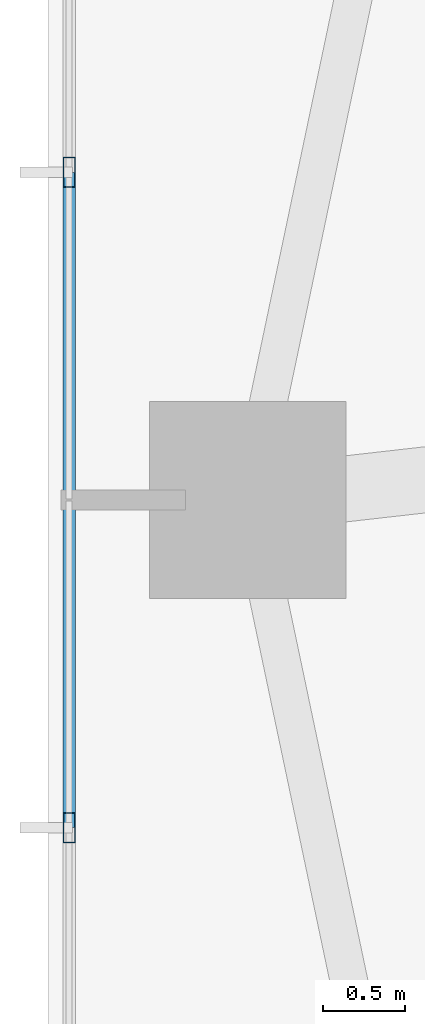
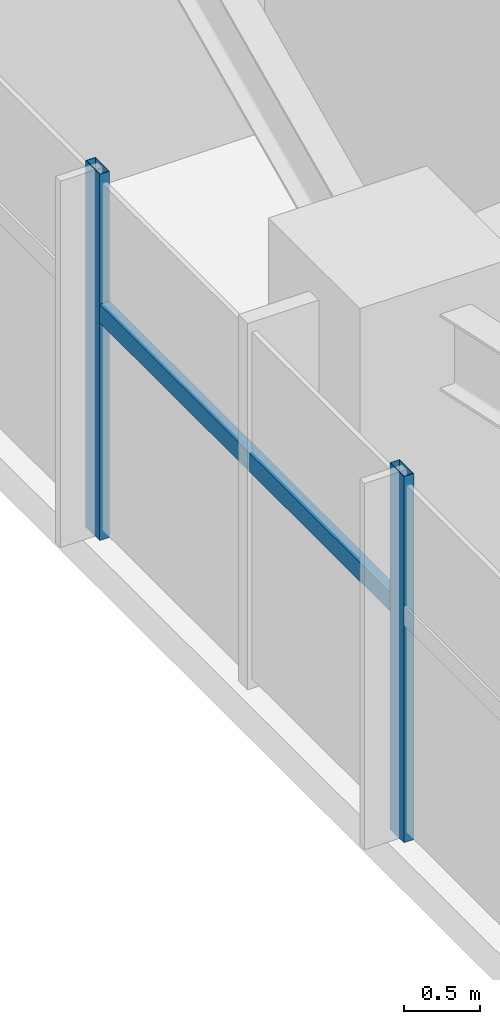
# One storey, part 4 of 25: 3 members, 1 element without a shape of its own.
"""IFC4 building model written with IfcOpenShell, lengths in metres."""

from ifc_helpers import new_model, si_unit, direction, frame, origin, origin_2d, place, context, subcontext, project, spatial, hollow_rectangle, extrude, source, transform, mapped, material, material_profile, profile_set, type_object, type_shapes, element, aggregate, save


model = new_model("IFC4")

# Units and contexts
model_context = context("Model", 3, precision=1e-05, world=origin(), true_north=direction((0.0, 1.0)))
body_context = subcontext(model_context, "Body", "Model", "MODEL_VIEW")
ifc_project = project(units=[si_unit("LENGTHUNIT", "METRE"), si_unit("AREAUNIT", "SQUARE_METRE"), si_unit("VOLUMEUNIT", "CUBIC_METRE"), si_unit("PLANEANGLEUNIT", "RADIAN"), si_unit("MASSUNIT", "GRAM", prefix="KILO")], contexts=[model_context])

# Site, building, storey
site_placement = place(None, origin())
site = spatial("IfcSite", under=ifc_project, at=site_placement, CompositionType="ELEMENT")
building_placement = place(site_placement, origin())
building = spatial("IfcBuilding", under=site, at=building_placement, Name="Astriad Promenade Condominiums", CompositionType="ELEMENT")
storey_placement = place(building_placement, frame((0.0, 0.0, 51.800048828125)))
storey = spatial("IfcBuildingStorey", under=building, at=storey_placement, Name="L14", CompositionType="ELEMENT", Elevation=51.800048828125)

# Curtain wall, members
ifc_material_1 = material(Name="Anodised aluminium Black Dark Glass Unitised", Category="aluminium")
curtain_wall_type = type_object("IfcCurtainWallType", Name="CW-B1-DARK", PredefinedType="USERDEFINED", material=ifc_material_1)
curtain_wall_placement = place(storey_placement, origin())
curtain_wall = element("IfcCurtainWall", 1, at=curtain_wall_placement, inside=storey, type_object=curtain_wall_type, Name="CW-L14-W", ObjectType="UNITISED_CURTAIN_WALL", PredefinedType="USERDEFINED")
ifc_material_2 = material(Name="Anodised aluminium 6063-T6 Black", Category="aluminium")
ifc_material_profile_1 = material_profile(ifc_material_2, hollow_rectangle(XDim=0.074951171875, YDim=0.18505859375, WallThickness=0.00439453125, at=origin_2d()), Name="ALU-MUL-75X185")
ifc_profile_set_1 = profile_set([ifc_material_profile_1], Name="Anodised aluminium 6063-T6 Black")
member_type_1 = type_object("IfcMemberType", Name="MUL-ALU-MUL-75X185", PredefinedType="MULLION", material=ifc_profile_set_1)
shared_shape_1 = source(origin(), body_context, "Body", "SweptSolid", [
    extrude(hollow_rectangle(XDim=0.074951171875, YDim=0.18505859375, WallThickness=0.00439453125, at=origin_2d()), origin(), (0.0, 0.0, 1.0), 2.93994140625),
])
type_shapes(member_type_1, [shared_shape_1])
member_1_placement = place(storey_placement, frame((5.929931640625, 13.199951171875, 0.0), z_axis=(0.0, 0.0, 1.0), x_axis=(1.0, 0.0, 0.0)))
member_1 = element("IfcMember", 2, at=member_1_placement, type_object=member_type_1, Name="CW-L14-W-MUL-02", PredefinedType="MULLION", context=body_context, shape_type="MappedRepresentation", body=[
    mapped(shared_shape_1, transform((0.0, 0.0, 0.0), scale=1.0)),
])
member_2_placement = place(storey_placement, frame((5.929931640625, 17.199951171875, 0.0), z_axis=(0.0, 0.0, 1.0), x_axis=(1.0, 0.0, 0.0)))
member_2 = element("IfcMember", 3, at=member_2_placement, type_object=member_type_1, Name="CW-L14-W-MUL-03", PredefinedType="MULLION", context=body_context, shape_type="MappedRepresentation", body=[
    mapped(shared_shape_1, transform((0.0, 0.0, 0.0), scale=1.0)),
])
ifc_material_profile_2 = material_profile(ifc_material_2, hollow_rectangle(XDim=0.074951171875, YDim=0.14990234375, WallThickness=0.004150390625, at=origin_2d()), Name="ALU-TRN-75X150")
ifc_profile_set_2 = profile_set([ifc_material_profile_2], Name="Anodised aluminium 6063-T6 Black")
member_type_2 = type_object("IfcMemberType", Name="TRN-ALU-TRN-75X150", PredefinedType="USERDEFINED", material=ifc_profile_set_2)
shared_shape_2 = source(origin(), body_context, "Body", "SweptSolid", [
    extrude(hollow_rectangle(XDim=0.074951171875, YDim=0.14990234375, WallThickness=0.004150390625, at=origin_2d()), origin(), (0.0, 0.0, 1.0), 4.0),
])
type_shapes(member_type_2, [shared_shape_2])
member_3_placement = place(storey_placement, frame((5.929931640625, 13.199951171875, 1.82275390625), z_axis=(0.0, 1.0, 0.0), x_axis=(-1.0, 0.0, 0.0)))
member_3 = element("IfcMember", 4, at=member_3_placement, type_object=member_type_2, Name="CW-L14-W-TRN-02-0", ObjectType="TRANSOM", PredefinedType="USERDEFINED", context=body_context, shape_type="MappedRepresentation", body=[
    mapped(shared_shape_2, transform((0.0, 0.0, 0.0), scale=1.0)),
])
aggregate(curtain_wall, [member_1, member_2, member_3])

save(model, "model.ifc")
